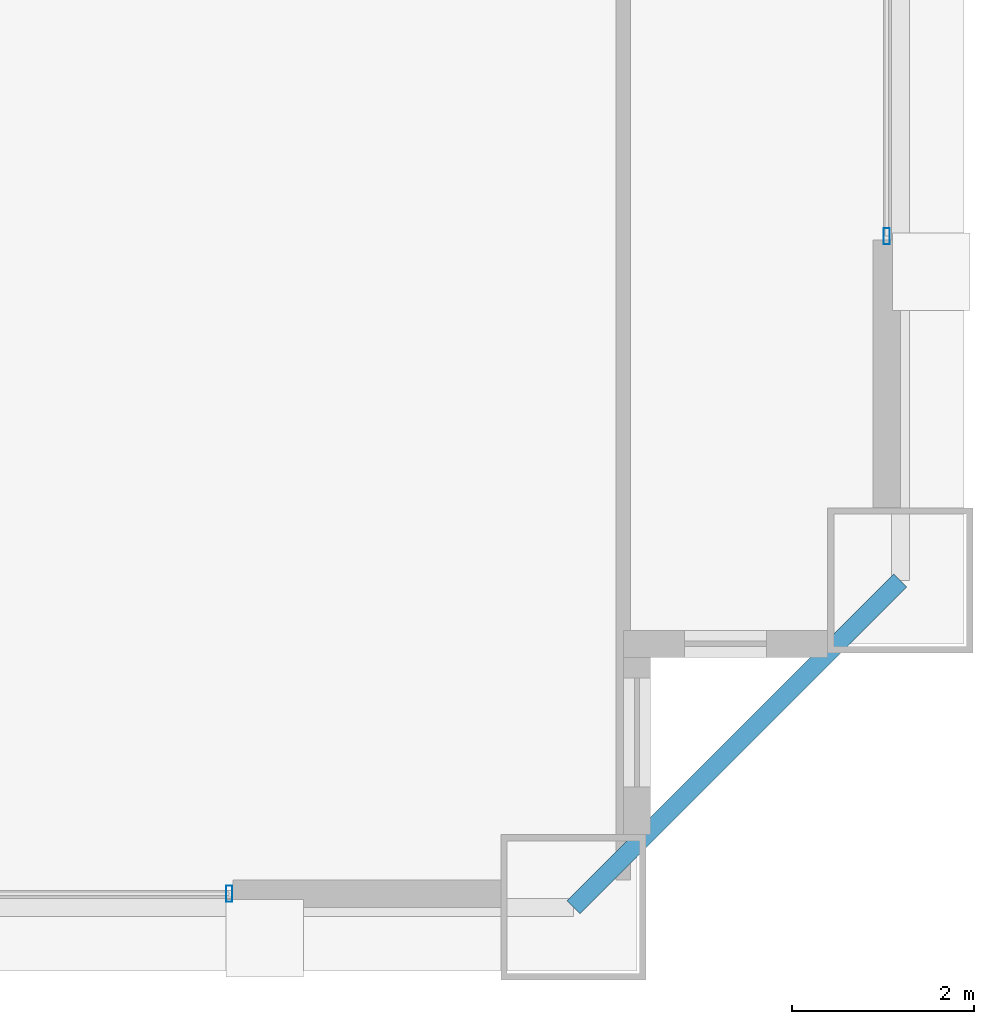
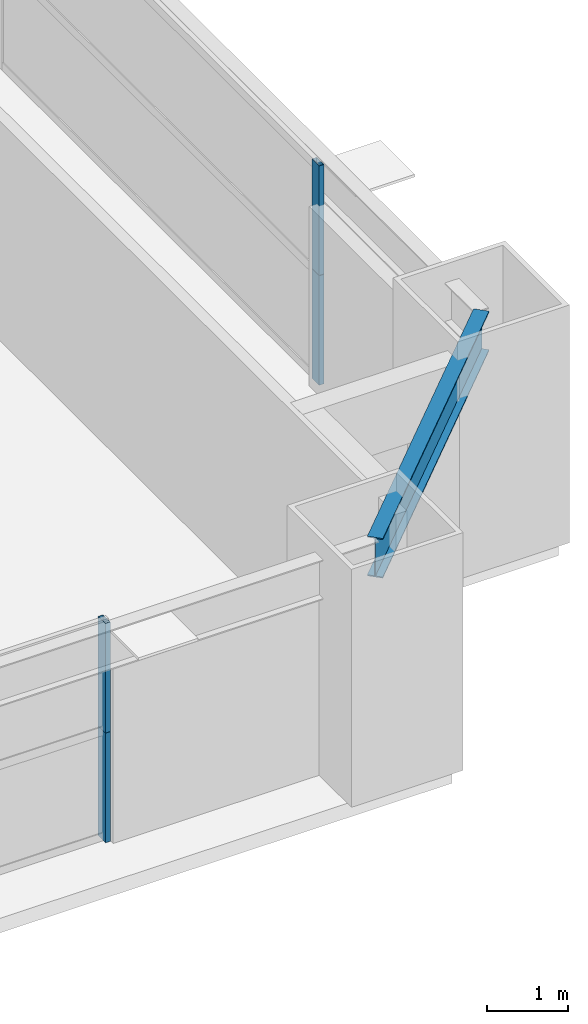
# One storey, part 15 of 38: 4 members, 1 beam, 2 elements without a shape of their own.
"""IFC4 building model written with IfcOpenShell, lengths in metres."""

from ifc_helpers import new_model, si_unit, direction, frame, origin, origin_2d, place, context, subcontext, project, spatial, hollow_rectangle, i_section, extrude, source, transform, mapped, material, layer, layer_set, material_profile, profile_set, type_object, element, aggregate, save


model = new_model("IFC4")

# Units and contexts
model_context = context("Model", 3, precision=1e-05, world=origin(), true_north=direction((0.0, 1.0)))
body_context = subcontext(model_context, "Body", "Model", "MODEL_VIEW")
ifc_project = project(units=[si_unit("LENGTHUNIT", "METRE"), si_unit("AREAUNIT", "SQUARE_METRE"), si_unit("VOLUMEUNIT", "CUBIC_METRE"), si_unit("PLANEANGLEUNIT", "RADIAN"), si_unit("MASSUNIT", "GRAM", prefix="KILO"), si_unit("THERMODYNAMICTEMPERATUREUNIT", "KELVIN"), si_unit("POWERUNIT", "WATT")], contexts=[model_context])

# Site, building, storey
site_placement = place(None, origin())
site = spatial("IfcSite", under=ifc_project, at=site_placement, CompositionType="ELEMENT")
building_placement = place(site_placement, origin())
building = spatial("IfcBuilding", under=site, at=building_placement, Name="Yuzanri Waterfront Tower", CompositionType="ELEMENT")
storey_placement = place(building_placement, frame((0.0, 0.0, 126.199951171875)))
storey = spatial("IfcBuildingStorey", under=building, at=storey_placement, Name="L33", CompositionType="ELEMENT", Elevation=126.199951171875)

# Beam
ifc_material_1 = material(Name="Steel Q355B", Category="steel")
ifc_material_profile_1 = material_profile(ifc_material_1, i_section(OverallWidth=0.199951171875, OverallDepth=0.60009765625, WebThickness=0.010986328125, FlangeThickness=0.01708984375, at=origin_2d()), Name="HN 600x200x11x17")
ifc_profile_set_1 = profile_set([ifc_material_profile_1], Name="Steel Q355B")
beam_type = type_object("IfcBeamType", Name="Perimeter Spandrel Q355B HN 600x200", PredefinedType="SPANDREL", material=ifc_profile_set_1)
shared_shape_1 = source(origin(), body_context, "Body", "SweptSolid", [
    extrude(i_section(OverallWidth=0.199951171875, OverallDepth=0.60009765625, WebThickness=0.010986328125, FlangeThickness=0.01708984375, at=origin_2d()), origin(), (0.0, 0.0, 1.0), 5.09130859375),
])
beam_placement = place(storey_placement, frame((57.0, 2.199951171875, 3.02001953125), z_axis=(0.707106781187, 0.707106781187, 0.0), x_axis=(-0.707106781187, 0.707106781187, 0.0)))
element("IfcBeam", 1, at=beam_placement, inside=storey, type_object=beam_type, Name="L33 Perimeter Spandrel S3-E1", PredefinedType="SPANDREL", context=body_context, shape_type="MappedRepresentation", body=[
    mapped(shared_shape_1, transform((0.0, 0.0, 0.0), scale=1.0)),
])

# Curtain wall, members
ifc_material_2 = material(Name="Anodized Architectural Bronze", Category="metal")
ifc_layer = layer(ifc_material_2, 0.159912109375)
ifc_layer_set = layer_set([ifc_layer], Name="Anodized Architectural Bronze")
curtain_wall_type = type_object("IfcCurtainWallType", Name="Anodized Bronze Hotel Upper-Tier Solar-Control Unitized Curtain Wall 7800", PredefinedType="NOTDEFINED", material=ifc_layer_set)
curtain_wall_1_placement = place(storey_placement, origin())
curtain_wall_1 = element("IfcCurtainWall", 2, at=curtain_wall_1_placement, inside=storey, type_object=curtain_wall_type, Name="L33 Curtain Wall CW-L33-SR", PredefinedType="NOTDEFINED")
ifc_material_3 = material(Name="Anodized Architectural Bronze", Category="metal")
ifc_material_profile_2 = material_profile(ifc_material_3, hollow_rectangle(XDim=0.070068359375, YDim=0.179931640625, WallThickness=0.00390625, at=origin_2d()), Name="CWM 70x180")
ifc_profile_set_2 = profile_set([ifc_material_profile_2], Name="Anodized Architectural Bronze")
member_type = type_object("IfcMemberType", Name="Anodized Bronze Standard Curtain-Wall Mullion 70x180", PredefinedType="MULLION", material=ifc_profile_set_2)
shared_shape_2 = source(origin(), body_context, "Body", "SweptSolid", [
    extrude(hollow_rectangle(XDim=0.070068359375, YDim=0.179931640625, WallThickness=0.00390625, at=origin_2d()), origin(), (0.0, 0.0, 1.0), 1.657958984375),
])
member_1_placement = place(storey_placement, frame((53.2099609375, 2.35009765625, 0.0), z_axis=(0.0, 0.0, 1.0), x_axis=(1.0, 0.0, 0.0)))
member_1 = element("IfcMember", 3, at=member_1_placement, type_object=member_type, Name="CW-L33-SR Lower Mullion 02", PredefinedType="MULLION", context=body_context, shape_type="MappedRepresentation", body=[
    mapped(shared_shape_2, transform((0.0, 0.0, 0.0), scale=1.0)),
])
member_2_placement = place(storey_placement, frame((53.2099609375, 2.35009765625, 1.662109375), z_axis=(0.0, 0.0, 1.0), x_axis=(1.0, 0.0, 0.0)))
member_2 = element("IfcMember", 4, at=member_2_placement, type_object=member_type, Name="CW-L33-SR Upper Mullion 02", PredefinedType="MULLION", context=body_context, shape_type="MappedRepresentation", body=[
    mapped(shared_shape_2, transform((0.0, 0.0, 0.0), scale=1.0)),
])
aggregate(curtain_wall_1, [member_1, member_2])

curtain_wall_2_placement = place(storey_placement, origin())
curtain_wall_2 = element("IfcCurtainWall", 5, at=curtain_wall_2_placement, inside=storey, type_object=curtain_wall_type, Name="L33 Curtain Wall CW-L33-EL", PredefinedType="NOTDEFINED")
member_3_placement = place(storey_placement, frame((60.449951171875, 9.590087890625, 0.0), z_axis=(0.0, 0.0, 1.0), x_axis=(1.0, 0.0, 0.0)))
member_3 = element("IfcMember", 6, at=member_3_placement, type_object=member_type, Name="CW-L33-EL Lower Mullion 00", PredefinedType="MULLION", context=body_context, shape_type="MappedRepresentation", body=[
    mapped(shared_shape_2, transform((0.0, 0.0, 0.0), scale=1.0)),
])
member_4_placement = place(storey_placement, frame((60.449951171875, 9.590087890625, 1.662109375), z_axis=(0.0, 0.0, 1.0), x_axis=(1.0, 0.0, 0.0)))
member_4 = element("IfcMember", 7, at=member_4_placement, type_object=member_type, Name="CW-L33-EL Upper Mullion 00", PredefinedType="MULLION", context=body_context, shape_type="MappedRepresentation", body=[
    mapped(shared_shape_2, transform((0.0, 0.0, 0.0), scale=1.0)),
])
aggregate(curtain_wall_2, [member_3, member_4])

save(model, "model.ifc")
